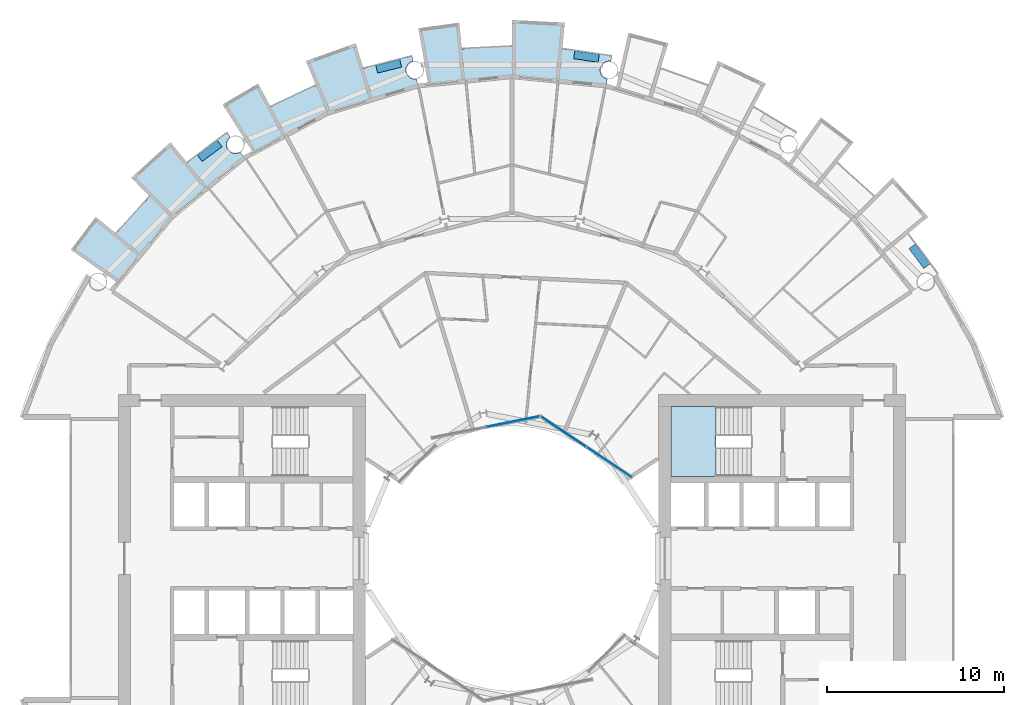
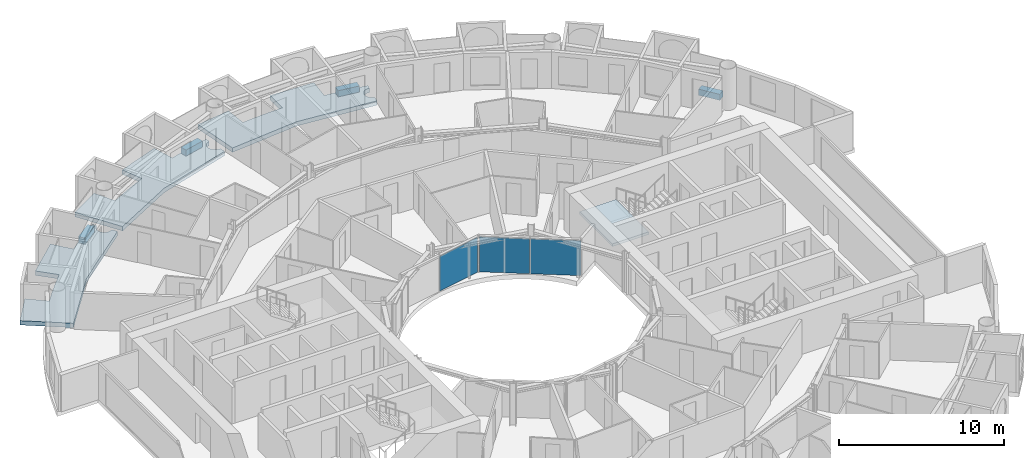
# One storey, part 11 of 26: 8 slabs, 3 plates, 3 elements without a shape of their own.
"""IFC4 building model written with IfcOpenShell, lengths in metres."""

from ifc_helpers import new_model, si_unit, direction, frame, origin, origin_2d, place, context, subcontext, project, spatial, polyline, rectangle, outline, extrude, material, layer, layer_set, type_object, element, aggregate, save


model = new_model("IFC4")

# Units and contexts
model_context = context("Model", 3, precision=1e-05, world=origin(), true_north=direction((0.0, 1.0)))
body_context = subcontext(model_context, "Body", "Model", "MODEL_VIEW")
ifc_project = project(units=[si_unit("LENGTHUNIT", "METRE"), si_unit("AREAUNIT", "SQUARE_METRE"), si_unit("VOLUMEUNIT", "CUBIC_METRE"), si_unit("PLANEANGLEUNIT", "RADIAN"), si_unit("MASSUNIT", "GRAM", prefix="KILO")], contexts=[model_context])

# Site, building, storey
site_placement = place(None, origin())
site = spatial("IfcSite", under=ifc_project, at=site_placement, CompositionType="ELEMENT")
building_placement = place(site_placement, origin())
building = spatial("IfcBuilding", under=site, at=building_placement, Name="Maasbend Ring Residences", CompositionType="ELEMENT")
storey_placement = place(building_placement, frame((0.0, 0.0, 84.949951171875)))
storey = spatial("IfcBuildingStorey", under=building, at=storey_placement, Name="L24", CompositionType="ELEMENT", Elevation=84.949951171875)

# Stair, slab
ifc_material_1 = material(Name="Concrete C40/50", Category="concrete")
stair_type = type_object("IfcStairType", Name="CORE STAIR 18 RISERS", PredefinedType="HALF_TURN_STAIR", material=ifc_material_1)
stair_placement = place(storey_placement, origin())
stair = element("IfcStair", 1, at=stair_placement, inside=storey, type_object=stair_type, Name="L24 Exit stair ST-E1", PredefinedType="HALF_TURN_STAIR")
ifc_material_2 = material(Name="Concrete C40/50", Category="concrete")
ifc_layer_1 = layer(ifc_material_2, 0.199951171875)
ifc_layer_set_1 = layer_set([ifc_layer_1], Name="Concrete C40/50")
slab_type_1 = type_object("IfcSlabType", Name="CORE STAIR LANDING 200", PredefinedType="LANDING", material=ifc_layer_set_1)
slab_1_placement = place(storey_placement, frame((0.0, 0.0, 1.324951171875)))
slab_1 = element("IfcSlab", 2, at=slab_1_placement, type_object=slab_type_1, Name="ST-E1 landing 1", PredefinedType="LANDING", context=body_context, shape_type="SweptSolid", body=[
    extrude(outline(polyline([(11.550048828125, 8.60009765625), (9.0, 8.60009765625), (9.0, 4.64990234375), (11.550048828125, 4.64990234375), (11.550048828125, 8.60009765625)])), origin(), (0.0, 0.0, 1.0), 0.2001953125),
])
aggregate(stair, [slab_1])

# Curtain wall, plates
ifc_material_3 = material(Name="Aluminium and clear glass", Category="aluminium")
ifc_layer_2 = layer(ifc_material_3, 0.179931640625)
ifc_layer_set_2 = layer_set([ifc_layer_2], Name="CW-W")
curtain_wall_type = type_object("IfcCurtainWallType", Name="CW-W", PredefinedType="NOTDEFINED", material=ifc_layer_set_2)
curtain_wall_1_placement = place(storey_placement, origin())
curtain_wall_1 = element("IfcCurtainWall", 3, at=curtain_wall_1_placement, inside=storey, type_object=curtain_wall_type, Name="Well curtain wall N1", PredefinedType="NOTDEFINED")
ifc_material_4 = material(Name="Glass clear laminated", Category="glass")
ifc_layer_3 = layer(ifc_material_4, 0.031982421875)
ifc_layer_set_3 = layer_set([ifc_layer_3], Name="CWP-W")
plate_type = type_object("IfcPlateType", Name="CWP-W", PredefinedType="CURTAIN_PANEL", material=ifc_layer_set_3)
plate_1_placement = place(storey_placement, frame((5.51123046875, 5.44580078125, 0.0), z_axis=(0.0, 0.0, 1.0), x_axis=(-0.831469612303, 0.55557023302, 0.0)))
plate_1 = element("IfcPlate", 4, at=plate_1_placement, type_object=plate_type, Name="Glass panel well face", PredefinedType="CURTAIN_PANEL", context=body_context, shape_type="SweptSolid", body=[
    extrude(rectangle(XDim=3.053955078125, YDim=0.031982421875, at=origin_2d()), origin(), (0.0, 0.0, 1.0), 2.580078125),
])
plate_2_placement = place(storey_placement, frame((2.922119140625, 7.17578125, 0.0), z_axis=(0.0, 0.0, 1.0), x_axis=(-0.831469612303, 0.55557023302, 0.0)))
plate_2 = element("IfcPlate", 5, at=plate_2_placement, type_object=plate_type, Name="Glass panel well face", PredefinedType="CURTAIN_PANEL", context=body_context, shape_type="SweptSolid", body=[
    extrude(rectangle(XDim=3.053955078125, YDim=0.031982421875, at=origin_2d()), origin(), (0.0, 0.0, 1.0), 2.580078125),
])
aggregate(curtain_wall_1, [plate_1, plate_2])

# Curtain wall, plate
curtain_wall_2_placement = place(storey_placement, origin())
curtain_wall_2 = element("IfcCurtainWall", 6, at=curtain_wall_2_placement, inside=storey, type_object=curtain_wall_type, Name="Well curtain wall N2", PredefinedType="NOTDEFINED")
plate_3_placement = place(storey_placement, frame((0.04638671875, 7.747802734375, 0.0), z_axis=(0.0, 0.0, 1.0), x_axis=(-0.980785280403, -0.195090322016, 0.0)))
plate_3 = element("IfcPlate", 7, at=plate_3_placement, type_object=plate_type, Name="Glass panel well face", PredefinedType="CURTAIN_PANEL", context=body_context, shape_type="SweptSolid", body=[
    extrude(rectangle(XDim=3.053955078125, YDim=0.031982421875, at=origin_2d()), origin(), (0.0, 0.0, 1.0), 2.580078125),
])
aggregate(curtain_wall_2, [plate_3])

# Slabs
ifc_material_5 = material(Name="Planting with climbing greenery")
ifc_layer_4 = layer(ifc_material_5, 0.449951171875)
ifc_layer_set_4 = layer_set([ifc_layer_4], Name="PLANTER-LG")
slab_type_2 = type_object("IfcSlabType", Name="PLANTER-LG", PredefinedType="USERDEFINED", material=ifc_layer_set_4)
slab_2_placement = place(storey_placement, frame((0.0, 0.0, -0.030029296875)))
element("IfcSlab", 8, at=slab_2_placement, inside=storey, type_object=slab_type_2, Name="Planter with climbing greenery 1", ObjectType="PLANTER", PredefinedType="USERDEFINED", context=body_context, shape_type="SweptSolid", body=[
    extrude(outline(polyline([(23.681884765625, 16.69189453125), (22.847900390625, 17.81689453125), (22.487060546875, 17.549072265625), (23.321044921875, 16.424072265625), (23.681884765625, 16.69189453125)])), origin(), (0.0, 0.0, 1.0), 0.4501953125),
])
slab_3_placement = place(storey_placement, frame((0.0, 0.0, -0.030029296875)))
element("IfcSlab", 9, at=slab_3_placement, inside=storey, type_object=slab_type_2, Name="Planter with climbing greenery 3", ObjectType="PLANTER", PredefinedType="USERDEFINED", context=body_context, shape_type="SweptSolid", body=[
    extrude(outline(polyline([(4.94189453125, 28.549072265625), (3.55810546875, 28.75390625), (3.491943359375, 28.30908203125), (4.8759765625, 28.10400390625), (4.94189453125, 28.549072265625)])), origin(), (0.0, 0.0, 1.0), 0.4501953125),
])
slab_4_placement = place(storey_placement, frame((0.0, 0.0, -0.030029296875)))
element("IfcSlab", 10, at=slab_4_placement, inside=storey, type_object=slab_type_2, Name="Planter with climbing greenery 4", ObjectType="PLANTER", PredefinedType="USERDEFINED", context=body_context, shape_type="SweptSolid", body=[
    extrude(outline(polyline([(-6.35888671875, 28.26708984375), (-7.717041015625, 27.927001953125), (-7.60791015625, 27.489990234375), (-6.25, 27.8310546875), (-6.35888671875, 28.26708984375)])), origin(), (0.0, 0.0, 1.0), 0.4501953125),
])
slab_5_placement = place(storey_placement, frame((0.0, 0.0, -0.030029296875)))
element("IfcSlab", 11, at=slab_5_placement, inside=storey, type_object=slab_type_2, Name="Planter with climbing greenery 5", ObjectType="PLANTER", PredefinedType="USERDEFINED", context=body_context, shape_type="SweptSolid", body=[
    extrude(outline(polyline([(-16.69189453125, 23.681884765625), (-17.81689453125, 22.847900390625), (-17.549072265625, 22.487060546875), (-16.424072265625, 23.321044921875), (-16.69189453125, 23.681884765625)])), origin(), (0.0, 0.0, 1.0), 0.4501953125),
])
ifc_material_6 = material(Name="Concrete C40/50", Category="concrete")
ifc_layer_5 = layer(ifc_material_6, 0.199951171875)
ifc_layer_set_5 = layer_set([ifc_layer_5], Name="Concrete C40/50")
slab_type_3 = type_object("IfcSlabType", Name="SL-LOGGIA", PredefinedType="FLOOR", material=ifc_layer_set_5)
slab_6_placement = place(storey_placement, frame((0.0, 0.0, -0.349853515625)))
element("IfcSlab", 12, at=slab_6_placement, inside=storey, type_object=slab_type_3, Name="Loggia floor 2", PredefinedType="FLOOR", context=body_context, shape_type="SweptSolid", body=[
    extrude(outline(polyline([(-13.6708984375, 25.575927734375), (-13.6708984375, 25.575927734375), (-13.6708984375, 25.575927734375), (-13.6708984375, 25.575927734375), (-13.6708984375, 25.575927734375), (-13.6708984375, 25.575927734375), (-13.6708984375, 25.575927734375), (-13.669921875, 25.575927734375), (-13.669921875, 25.575927734375), (-13.669921875, 25.575927734375), (-13.669921875, 25.575927734375), (-13.669921875, 25.575927734375), (-13.669921875, 25.575927734375), (-13.669921875, 25.575927734375), (-13.669921875, 25.575927734375), (-13.669921875, 25.575927734375), (-13.669921875, 25.575927734375), (-12.825927734375, 26.009033203125), (-12.825927734375, 26.009033203125), (-11.968994140625, 26.4150390625), (-11.968994140625, 26.4150390625), (-11.097900390625, 26.7919921875), (-11.097900390625, 26.7919921875), (-11.097900390625, 26.7919921875), (-11.097900390625, 26.7919921875), (-11.097900390625, 26.7919921875), (-11.097900390625, 26.7919921875), (-11.097900390625, 26.7919921875), (-11.097900390625, 26.79296875), (-11.097900390625, 26.79296875), (-11.097900390625, 26.79296875), (-11.097900390625, 26.79296875), (-11.097900390625, 26.79296875), (-11.097900390625, 26.79296875), (-11.097900390625, 26.79296875), (-11.097900390625, 26.79296875), (-11.097900390625, 26.79296875), (-11.097900390625, 26.79296875), (-11.672119140625, 28.177978515625), (-11.672119140625, 28.177978515625), (-11.672119140625, 28.177978515625), (-8.85400390625, 29.18701171875), (-8.85400390625, 29.18701171875), (-8.85400390625, 29.18701171875), (-8.41796875, 27.751953125), (-8.41796875, 27.751953125), (-8.41796875, 27.751953125), (-8.41796875, 27.751953125), (-8.41796875, 27.751953125), (-8.41796875, 27.751953125), (-8.41796875, 27.751953125), (-8.41796875, 27.7509765625), (-8.41796875, 27.7509765625), (-8.41796875, 27.7509765625), (-8.41796875, 27.7509765625), (-8.41796875, 27.7509765625), (-8.41796875, 27.7509765625), (-8.41796875, 27.7509765625), (-8.41796875, 27.7509765625), (-8.41796875, 27.7509765625), (-8.41796875, 27.7509765625), (-7.506103515625, 28.011962890625), (-7.506103515625, 28.011962890625), (-6.5849609375, 28.241943359375), (-6.5849609375, 28.241943359375), (-5.657958984375, 28.443115234375), (-5.657958984375, 28.443115234375), (-5.657958984375, 28.443115234375), (-5.60107421875, 28.156005859375), (-5.613037109375, 28.154052734375), (-5.625, 28.15087890625), (-5.636962890625, 28.14794921875), (-5.64892578125, 28.14404296875), (-5.660888671875, 28.139892578125), (-5.673095703125, 28.135986328125), (-5.68408203125, 28.132080078125), (-5.696044921875, 28.126953125), (-5.70703125, 28.123046875), (-5.718994140625, 28.116943359375), (-5.72998046875, 28.112060546875), (-5.740966796875, 28.10595703125), (-5.751953125, 28.10009765625), (-5.762939453125, 28.093994140625), (-5.77294921875, 28.0869140625), (-5.783935546875, 28.080078125), (-5.7939453125, 28.072998046875), (-5.803955078125, 28.06591796875), (-5.81396484375, 28.05908203125), (-5.823974609375, 28.051025390625), (-5.8330078125, 28.04296875), (-5.843017578125, 28.034912109375), (-5.85205078125, 28.02587890625), (-5.861083984375, 28.01708984375), (-5.868896484375, 28.008056640625), (-5.8779296875, 27.9990234375), (-5.885986328125, 27.989990234375), (-5.89404296875, 27.97998046875), (-5.902099609375, 27.970947265625), (-5.909912109375, 27.9609375), (-5.9169921875, 27.950927734375), (-5.924072265625, 27.93994140625), (-5.930908203125, 27.929931640625), (-5.93701171875, 27.9189453125), (-5.944091796875, 27.907958984375), (-5.949951171875, 27.89794921875), (-5.955078125, 27.886962890625), (-5.9609375, 27.875), (-5.966064453125, 27.864013671875), (-5.970947265625, 27.85302734375), (-5.97509765625, 27.841064453125), (-5.97998046875, 27.8291015625), (-5.98388671875, 27.81689453125), (-5.988037109375, 27.805908203125), (-5.990966796875, 27.7939453125), (-5.993896484375, 27.781982421875), (-5.9970703125, 27.76904296875), (-6.0, 27.757080078125), (-6.001953125, 27.7451171875), (-6.00390625, 27.73291015625), (-6.006103515625, 27.719970703125), (-6.007080078125, 27.7080078125), (-6.008056640625, 27.695068359375), (-6.009033203125, 27.68310546875), (-6.009033203125, 27.6708984375), (-6.010009765625, 27.657958984375), (-6.009033203125, 27.64599609375), (-6.009033203125, 27.633056640625), (-6.008056640625, 27.62109375), (-6.007080078125, 27.60791015625), (-6.006103515625, 27.595947265625), (-6.00390625, 27.583984375), (-6.001953125, 27.571044921875), (-6.0, 27.55908203125), (-5.9970703125, 27.547119140625), (-5.993896484375, 27.534912109375), (-5.990966796875, 27.52294921875), (-5.988037109375, 27.510986328125), (-5.98388671875, 27.4990234375), (-5.97998046875, 27.487060546875), (-5.97509765625, 27.47509765625), (-5.970947265625, 27.464111328125), (-5.966064453125, 27.451904296875), (-5.9609375, 27.44091796875), (-5.955078125, 27.429931640625), (-5.949951171875, 27.4189453125), (-5.944091796875, 27.407958984375), (-5.93701171875, 27.39697265625), (-5.930908203125, 27.385986328125), (-5.924072265625, 27.3759765625), (-5.9169921875, 27.365966796875), (-5.909912109375, 27.35498046875), (-5.902099609375, 27.345947265625), (-5.89404296875, 27.3359375), (-5.885986328125, 27.325927734375), (-5.8779296875, 27.31689453125), (-5.868896484375, 27.30810546875), (-5.861083984375, 27.299072265625), (-5.85205078125, 27.2900390625), (-5.843017578125, 27.281982421875), (-5.8330078125, 27.27294921875), (-5.823974609375, 27.264892578125), (-5.81396484375, 27.258056640625), (-5.803955078125, 27.25), (-5.7939453125, 27.242919921875), (-5.783935546875, 27.236083984375), (-5.77294921875, 27.22900390625), (-5.762939453125, 27.221923828125), (-5.751953125, 27.216064453125), (-5.740966796875, 27.2099609375), (-5.72998046875, 27.2041015625), (-5.718994140625, 27.198974609375), (-5.70703125, 27.194091796875), (-5.696044921875, 27.18896484375), (-5.68408203125, 27.18408203125), (-5.673095703125, 27.179931640625), (-5.660888671875, 27.176025390625), (-5.64892578125, 27.172119140625), (-5.636962890625, 27.1689453125), (-5.625, 27.1650390625), (-5.613037109375, 27.162109375), (-5.60107421875, 27.159912109375), (-5.587890625, 27.157958984375), (-5.575927734375, 27.156005859375), (-5.56396484375, 27.154052734375), (-5.551025390625, 27.153076171875), (-5.5390625, 27.15087890625), (-5.52587890625, 27.15087890625), (-5.513916015625, 27.14990234375), (-5.501953125, 27.14990234375), (-5.489013671875, 27.14990234375), (-5.47705078125, 27.15087890625), (-5.464111328125, 27.15087890625), (-5.451904296875, 27.153076171875), (-5.43896484375, 27.154052734375), (-5.427001953125, 27.156005859375), (-5.4150390625, 27.157958984375), (-5.402099609375, 27.159912109375), (-5.325927734375, 26.77490234375), (-5.325927734375, 26.77490234375), (-5.325927734375, 26.77490234375), (-7.886962890625, 25.9990234375), (-10.447021484375, 25.221923828125), (-10.447021484375, 25.221923828125), (-10.447021484375, 25.221923828125), (-12.806884765625, 23.9609375), (-14.64599609375, 22.97705078125), (-14.64599609375, 22.97705078125), (-14.64599609375, 22.97705078125), (-16.39404296875, 25.718994140625), (-16.39404296875, 25.718994140625), (-16.39404296875, 25.718994140625), (-14.3779296875, 26.89892578125), (-14.3779296875, 26.89892578125), (-14.3779296875, 26.89892578125), (-13.6708984375, 25.575927734375)])), origin(), (0.0, 0.0, 1.0), 0.31982421875),
])
slab_7_placement = place(storey_placement, frame((0.0, 0.0, -0.349853515625)))
element("IfcSlab", 13, at=slab_7_placement, inside=storey, type_object=slab_type_3, Name="Loggia floor 3", PredefinedType="FLOOR", context=body_context, shape_type="SweptSolid", body=[
    extrude(outline(polyline([(-2.843017578125, 28.861083984375), (-2.843017578125, 28.861083984375), (-2.843017578125, 28.861083984375), (-2.843017578125, 28.861083984375), (-2.842041015625, 28.861083984375), (-2.842041015625, 28.861083984375), (-2.842041015625, 28.861083984375), (-2.842041015625, 28.861083984375), (-2.842041015625, 28.861083984375), (-2.842041015625, 28.860107421875), (-2.842041015625, 28.860107421875), (-2.842041015625, 28.860107421875), (-2.842041015625, 28.860107421875), (-2.842041015625, 28.860107421875), (-2.842041015625, 28.860107421875), (-2.842041015625, 28.860107421875), (-2.842041015625, 28.860107421875), (-1.89697265625, 28.93798828125), (-1.89697265625, 28.93798828125), (-0.948974609375, 28.98388671875), (-0.948974609375, 28.98388671875), (0.0, 29.0), (0.0, 29.0), (0.0, 29.0), (0.0, 29.0), (0.0, 29.0), (0.0, 29.0), (0.0, 29.0), (0.0, 29.0), (0.0, 29.0), (0.0, 29.0), (0.0, 29.0), (0.0, 29.0), (0.0, 29.0), (0.0, 29.0), (0.0, 29.0), (0.0, 29.0), (0.0, 29.0), (0.0, 30.5), (0.0, 30.5), (0.0, 30.5), (2.989990234375, 30.35302734375), (2.989990234375, 30.35302734375), (2.989990234375, 30.35302734375), (2.843017578125, 28.861083984375), (2.843017578125, 28.861083984375), (2.843017578125, 28.861083984375), (2.843017578125, 28.861083984375), (2.843017578125, 28.861083984375), (2.843017578125, 28.861083984375), (2.843017578125, 28.861083984375), (2.843017578125, 28.861083984375), (2.843017578125, 28.860107421875), (2.843017578125, 28.860107421875), (2.843017578125, 28.860107421875), (2.843017578125, 28.860107421875), (2.843017578125, 28.860107421875), (2.843017578125, 28.860107421875), (2.843017578125, 28.860107421875), (2.843017578125, 28.860107421875), (2.843017578125, 28.860107421875), (3.784912109375, 28.751953125), (3.784912109375, 28.751953125), (4.72412109375, 28.613037109375), (4.72412109375, 28.613037109375), (5.657958984375, 28.443115234375), (5.657958984375, 28.443115234375), (5.657958984375, 28.443115234375), (5.60107421875, 28.156005859375), (5.60107421875, 28.156005859375), (5.587890625, 28.158935546875), (5.575927734375, 28.160888671875), (5.56396484375, 28.162109375), (5.551025390625, 28.1640625), (5.5390625, 28.1650390625), (5.52587890625, 28.1650390625), (5.513916015625, 28.166015625), (5.501953125, 28.166015625), (5.489013671875, 28.166015625), (5.47705078125, 28.1650390625), (5.464111328125, 28.1650390625), (5.451904296875, 28.1640625), (5.43896484375, 28.162109375), (5.427001953125, 28.160888671875), (5.4150390625, 28.158935546875), (5.402099609375, 28.156005859375), (5.389892578125, 28.154052734375), (5.3779296875, 28.15087890625), (5.365966796875, 28.14794921875), (5.35400390625, 28.14404296875), (5.342041015625, 28.139892578125), (5.330078125, 28.135986328125), (5.319091796875, 28.132080078125), (5.306884765625, 28.126953125), (5.2958984375, 28.123046875), (5.283935546875, 28.116943359375), (5.27294921875, 28.112060546875), (5.261962890625, 28.10595703125), (5.2509765625, 28.10009765625), (5.239990234375, 28.093994140625), (5.22998046875, 28.0869140625), (5.218994140625, 28.080078125), (5.208984375, 28.072998046875), (5.198974609375, 28.06591796875), (5.18896484375, 28.05908203125), (5.178955078125, 28.051025390625), (5.169921875, 28.04296875), (5.159912109375, 28.034912109375), (5.15087890625, 28.02587890625), (5.14208984375, 28.01708984375), (5.134033203125, 28.008056640625), (5.125, 27.9990234375), (5.116943359375, 27.989990234375), (5.10888671875, 27.97998046875), (5.10107421875, 27.970947265625), (5.093017578125, 27.9609375), (5.0859375, 27.950927734375), (5.0791015625, 27.93994140625), (5.072021484375, 27.929931640625), (5.06591796875, 27.9189453125), (5.05908203125, 27.907958984375), (5.052978515625, 27.89794921875), (5.048095703125, 27.886962890625), (5.0419921875, 27.875), (5.037109375, 27.864013671875), (5.031982421875, 27.85302734375), (5.028076171875, 27.841064453125), (5.02294921875, 27.8291015625), (5.01904296875, 27.81689453125), (5.014892578125, 27.805908203125), (5.011962890625, 27.7939453125), (5.009033203125, 27.781982421875), (5.006103515625, 27.76904296875), (5.0029296875, 27.757080078125), (5.0009765625, 27.7451171875), (4.9990234375, 27.73291015625), (4.9970703125, 27.719970703125), (4.99609375, 27.7080078125), (4.9951171875, 27.695068359375), (4.993896484375, 27.68310546875), (4.993896484375, 27.6708984375), (4.993896484375, 27.657958984375), (4.993896484375, 27.64599609375), (4.993896484375, 27.633056640625), (4.9951171875, 27.62109375), (4.99609375, 27.60791015625), (4.9970703125, 27.595947265625), (4.9990234375, 27.583984375), (5.0009765625, 27.571044921875), (5.0029296875, 27.55908203125), (5.006103515625, 27.547119140625), (5.009033203125, 27.534912109375), (5.011962890625, 27.52294921875), (5.014892578125, 27.510986328125), (5.01904296875, 27.4990234375), (5.02294921875, 27.487060546875), (5.028076171875, 27.47509765625), (5.031982421875, 27.464111328125), (5.037109375, 27.451904296875), (5.0419921875, 27.44091796875), (5.048095703125, 27.429931640625), (5.052978515625, 27.4189453125), (5.05908203125, 27.407958984375), (5.06591796875, 27.39697265625), (5.072021484375, 27.385986328125), (5.0791015625, 27.3759765625), (5.0859375, 27.365966796875), (5.093017578125, 27.35498046875), (5.10107421875, 27.345947265625), (5.10888671875, 27.3359375), (5.116943359375, 27.325927734375), (5.125, 27.31689453125), (5.134033203125, 27.30810546875), (5.14208984375, 27.299072265625), (5.15087890625, 27.2900390625), (5.159912109375, 27.281982421875), (5.169921875, 27.27294921875), (5.178955078125, 27.264892578125), (5.18896484375, 27.258056640625), (5.198974609375, 27.25), (5.208984375, 27.242919921875), (5.218994140625, 27.236083984375), (5.22998046875, 27.22900390625), (5.239990234375, 27.221923828125), (5.2509765625, 27.216064453125), (5.261962890625, 27.2099609375), (5.27294921875, 27.2041015625), (5.283935546875, 27.198974609375), (5.2958984375, 27.194091796875), (5.306884765625, 27.18896484375), (5.319091796875, 27.18408203125), (5.330078125, 27.179931640625), (5.342041015625, 27.176025390625), (5.35400390625, 27.172119140625), (5.365966796875, 27.1689453125), (5.3779296875, 27.1650390625), (5.389892578125, 27.162109375), (5.402099609375, 27.159912109375), (5.402099609375, 27.159912109375), (5.325927734375, 26.77490234375), (5.325927734375, 26.77490234375), (5.325927734375, 26.77490234375), (2.6630859375, 27.0380859375), (0.0, 27.300048828125), (0.0, 27.300048828125), (0.0, 27.300048828125), (-2.6630859375, 27.0380859375), (-4.739013671875, 26.8330078125), (-4.739013671875, 26.8330078125), (-4.739013671875, 26.8330078125), (-5.303955078125, 30.034912109375), (-5.303955078125, 30.034912109375), (-5.303955078125, 30.034912109375), (-2.989990234375, 30.35302734375), (-2.989990234375, 30.35302734375), (-2.989990234375, 30.35302734375), (-2.843017578125, 28.861083984375)])), origin(), (0.0, 0.0, 1.0), 0.31982421875),
])
slab_8_placement = place(storey_placement, frame((0.0, 0.0, -0.349853515625)))
element("IfcSlab", 14, at=slab_8_placement, inside=storey, type_object=slab_type_3, Name="Loggia floor 5", PredefinedType="FLOOR", context=body_context, shape_type="SweptSolid", body=[
    extrude(outline(polyline([(-22.41796875, 18.39794921875), (-22.41796875, 18.39794921875), (-22.41796875, 18.39794921875), (-22.41796875, 18.39794921875), (-22.41796875, 18.39794921875), (-22.4169921875, 18.39794921875), (-22.4169921875, 18.39794921875), (-22.4169921875, 18.39794921875), (-22.4169921875, 18.39794921875), (-22.4169921875, 18.39794921875), (-22.4169921875, 18.39794921875), (-22.4169921875, 18.39794921875), (-22.4169921875, 18.39794921875), (-22.4169921875, 18.39794921875), (-22.4169921875, 18.39794921875), (-22.4169921875, 18.39794921875), (-22.4169921875, 18.39794921875), (-21.802978515625, 19.12109375), (-21.802978515625, 19.12109375), (-21.166015625, 19.823974609375), (-21.166015625, 19.823974609375), (-20.506103515625, 20.506103515625), (-20.506103515625, 20.506103515625), (-20.506103515625, 20.506103515625), (-20.506103515625, 20.506103515625), (-20.506103515625, 20.506103515625), (-20.506103515625, 20.506103515625), (-20.506103515625, 20.506103515625), (-20.506103515625, 20.506103515625), (-20.506103515625, 20.506103515625), (-20.506103515625, 20.506103515625), (-20.506103515625, 20.506103515625), (-20.506103515625, 20.506103515625), (-20.506103515625, 20.506103515625), (-20.506103515625, 20.506103515625), (-20.506103515625, 20.506103515625), (-20.506103515625, 20.506103515625), (-20.506103515625, 20.506103515625), (-21.56689453125, 21.56689453125), (-21.56689453125, 21.56689453125), (-21.56689453125, 21.56689453125), (-19.34912109375, 23.576904296875), (-19.34912109375, 23.576904296875), (-19.34912109375, 23.576904296875), (-18.39794921875, 22.41796875), (-18.39794921875, 22.41796875), (-18.39794921875, 22.41796875), (-18.39794921875, 22.41796875), (-18.39794921875, 22.41796875), (-18.39794921875, 22.41796875), (-18.39697265625, 22.41796875), (-18.39697265625, 22.41796875), (-18.39697265625, 22.41796875), (-18.39697265625, 22.41796875), (-18.39697265625, 22.41796875), (-18.39697265625, 22.41796875), (-18.39697265625, 22.41796875), (-18.39697265625, 22.41796875), (-18.39697265625, 22.41796875), (-18.39697265625, 22.41796875), (-18.39697265625, 22.41796875), (-17.654052734375, 23.007080078125), (-17.654052734375, 23.007080078125), (-16.89208984375, 23.572998046875), (-16.89208984375, 23.572998046875), (-16.112060546875, 24.113037109375), (-16.112060546875, 24.113037109375), (-16.112060546875, 24.113037109375), (-15.948974609375, 23.8701171875), (-15.948974609375, 23.8701171875), (-15.9599609375, 23.863037109375), (-15.969970703125, 23.85498046875), (-15.97998046875, 23.847900390625), (-15.989013671875, 23.840087890625), (-15.9990234375, 23.83203125), (-16.008056640625, 23.823974609375), (-16.01708984375, 23.81494140625), (-16.02587890625, 23.806884765625), (-16.034912109375, 23.798095703125), (-16.0439453125, 23.7890625), (-16.052001953125, 23.779052734375), (-16.06005859375, 23.77001953125), (-16.068115234375, 23.760009765625), (-16.074951171875, 23.75), (-16.08203125, 23.739990234375), (-16.089111328125, 23.72998046875), (-16.095947265625, 23.718994140625), (-16.10302734375, 23.708984375), (-16.10888671875, 23.697998046875), (-16.114990234375, 23.68701171875), (-16.12109375, 23.676025390625), (-16.1259765625, 23.6650390625), (-16.132080078125, 23.653076171875), (-16.135986328125, 23.64208984375), (-16.14111328125, 23.6298828125), (-16.14501953125, 23.618896484375), (-16.14892578125, 23.60693359375), (-16.153076171875, 23.594970703125), (-16.156982421875, 23.5830078125), (-16.159912109375, 23.571044921875), (-16.1630859375, 23.55908203125), (-16.1650390625, 23.547119140625), (-16.16796875, 23.533935546875), (-16.169921875, 23.52197265625), (-16.1708984375, 23.510009765625), (-16.173095703125, 23.4970703125), (-16.174072265625, 23.485107421875), (-16.174072265625, 23.471923828125), (-16.175048828125, 23.4599609375), (-16.175048828125, 23.447021484375), (-16.175048828125, 23.43505859375), (-16.174072265625, 23.422119140625), (-16.174072265625, 23.409912109375), (-16.173095703125, 23.39794921875), (-16.1708984375, 23.385009765625), (-16.169921875, 23.373046875), (-16.16796875, 23.361083984375), (-16.1650390625, 23.347900390625), (-16.1630859375, 23.3359375), (-16.159912109375, 23.323974609375), (-16.156982421875, 23.31201171875), (-16.153076171875, 23.300048828125), (-16.14892578125, 23.2880859375), (-16.14501953125, 23.27587890625), (-16.14111328125, 23.264892578125), (-16.135986328125, 23.2529296875), (-16.132080078125, 23.241943359375), (-16.1259765625, 23.22998046875), (-16.12109375, 23.218994140625), (-16.114990234375, 23.2080078125), (-16.10888671875, 23.197021484375), (-16.10302734375, 23.18603515625), (-16.095947265625, 23.176025390625), (-16.089111328125, 23.1650390625), (-16.08203125, 23.155029296875), (-16.074951171875, 23.14501953125), (-16.068115234375, 23.135009765625), (-16.06005859375, 23.125), (-16.052001953125, 23.115966796875), (-16.0439453125, 23.10595703125), (-16.034912109375, 23.096923828125), (-16.02587890625, 23.087890625), (-16.01708984375, 23.0791015625), (-16.008056640625, 23.071044921875), (-15.9990234375, 23.06298828125), (-15.989013671875, 23.054931640625), (-15.97998046875, 23.047119140625), (-15.969970703125, 23.0390625), (-15.9599609375, 23.031982421875), (-15.948974609375, 23.02490234375), (-15.93896484375, 23.01806640625), (-15.927978515625, 23.011962890625), (-15.9169921875, 23.0048828125), (-15.906982421875, 22.9990234375), (-15.89599609375, 22.993896484375), (-15.884033203125, 22.988037109375), (-15.873046875, 22.98291015625), (-15.862060546875, 22.97802734375), (-15.85009765625, 22.972900390625), (-15.837890625, 22.968994140625), (-15.825927734375, 22.965087890625), (-15.81494140625, 22.9609375), (-15.802978515625, 22.9580078125), (-15.791015625, 22.955078125), (-15.778076171875, 22.951904296875), (-15.76611328125, 22.948974609375), (-15.75390625, 22.947021484375), (-15.741943359375, 22.945068359375), (-15.72900390625, 22.943115234375), (-15.717041015625, 22.94189453125), (-15.7041015625, 22.94091796875), (-15.69189453125, 22.93994140625), (-15.679931640625, 22.93994140625), (-15.6669921875, 22.93896484375), (-15.655029296875, 22.93994140625), (-15.64208984375, 22.93994140625), (-15.6298828125, 22.94091796875), (-15.616943359375, 22.94189453125), (-15.60498046875, 22.943115234375), (-15.593017578125, 22.945068359375), (-15.580078125, 22.947021484375), (-15.568115234375, 22.948974609375), (-15.555908203125, 22.951904296875), (-15.5439453125, 22.955078125), (-15.531982421875, 22.9580078125), (-15.52001953125, 22.9609375), (-15.508056640625, 22.965087890625), (-15.49609375, 22.968994140625), (-15.48388671875, 22.972900390625), (-15.472900390625, 22.97802734375), (-15.4609375, 22.98291015625), (-15.449951171875, 22.988037109375), (-15.43896484375, 22.993896484375), (-15.427978515625, 22.9990234375), (-15.4169921875, 23.0048828125), (-15.406005859375, 23.011962890625), (-15.39501953125, 23.01806640625), (-15.385009765625, 23.02490234375), (-15.385009765625, 23.02490234375), (-15.1669921875, 22.698974609375), (-15.1669921875, 22.698974609375), (-15.1669921875, 22.698974609375), (-17.236083984375, 21.001953125), (-19.303955078125, 19.303955078125), (-19.303955078125, 19.303955078125), (-19.303955078125, 19.303955078125), (-21.001953125, 17.236083984375), (-22.324951171875, 15.623046875), (-22.324951171875, 15.623046875), (-22.324951171875, 15.623046875), (-24.989013671875, 17.488037109375), (-24.989013671875, 17.488037109375), (-24.989013671875, 17.488037109375), (-23.576904296875, 19.34912109375), (-23.576904296875, 19.34912109375), (-23.576904296875, 19.34912109375), (-22.41796875, 18.39794921875)])), origin(), (0.0, 0.0, 1.0), 0.31982421875),
])

save(model, "model.ifc")
